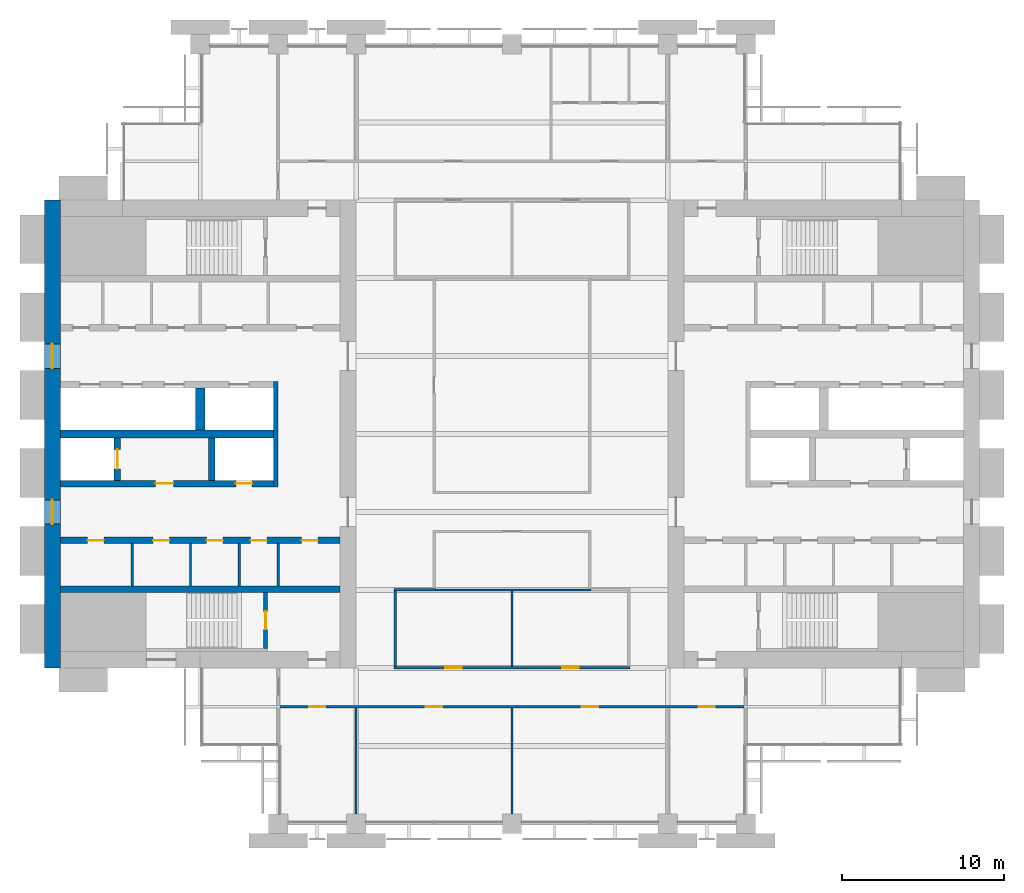
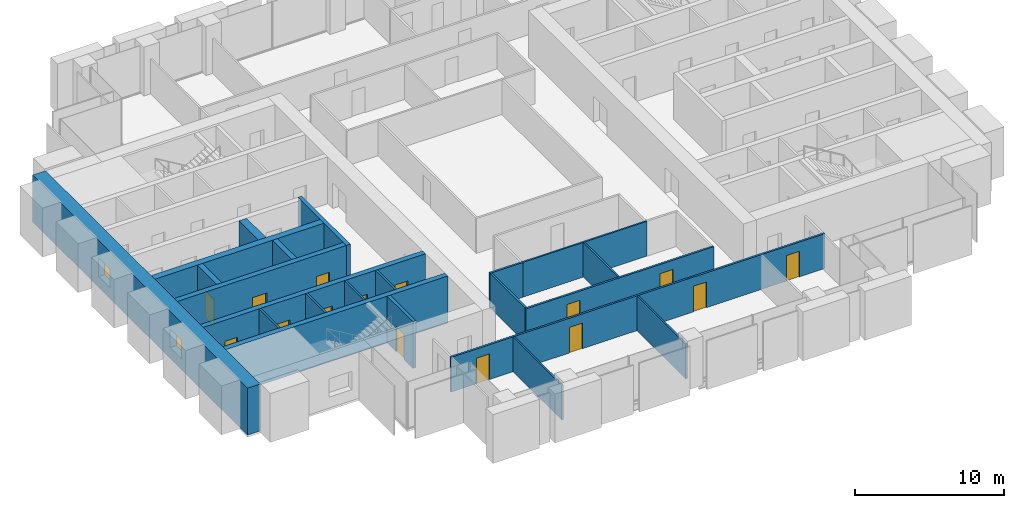
# One storey, part 9 of 14: 22 walls, 15 doors, 2 windows, 17 openings.
"""IFC4 building model written with IfcOpenShell, lengths in metres."""

from ifc_helpers import new_model, si_unit, direction, frame, frame_2d, origin, place, context, subcontext, project, spatial, rectangle, extrude, material, layer, layer_set, type_object, element, fill, save


model = new_model("IFC4")

# Units and contexts
model_context = context("Model", 3, precision=1e-05, world=origin(), true_north=direction((0.0, 1.0)))
body_context = subcontext(model_context, "Body", "Model", "MODEL_VIEW")
ifc_project = project(units=[si_unit("LENGTHUNIT", "METRE"), si_unit("AREAUNIT", "SQUARE_METRE"), si_unit("VOLUMEUNIT", "CUBIC_METRE"), si_unit("PLANEANGLEUNIT", "RADIAN"), si_unit("MASSUNIT", "GRAM", prefix="KILO")], contexts=[model_context])

# Site, building, storey
site_placement = place(None, origin())
site = spatial("IfcSite", under=ifc_project, at=site_placement, CompositionType="ELEMENT")
building_placement = place(site_placement, origin())
building = spatial("IfcBuilding", under=site, at=building_placement, Name="Baori Bourse Tower", CompositionType="ELEMENT")
storey_placement = place(building_placement, frame((0.0, 0.0, 112.10009765625)))
storey = spatial("IfcBuildingStorey", under=building, at=storey_placement, Name="L23", CompositionType="ELEMENT", Elevation=112.10009765625)

# Walls
ifc_material_1 = material(Name="Blockwork partition", Category="masonry")
ifc_layer_1 = layer(ifc_material_1, 0.14990234375)
ifc_layer_set_1 = layer_set([ifc_layer_1], Name="Core partition 150")
wall_type_1 = type_object("IfcWallType", Name="Core partition 150", PredefinedType="PARTITIONING", material=ifc_layer_set_1)
for number, where, z_axis, x_axis, name in (
    (1, (5.39990234375, 14.64990234375, 0.0), (0.0, 0.0, 1.0), (0.0, 1.0, 0.0), "Partition wall W10"),
    (2, (9.0, 14.64990234375, 0.0), (0.0, 0.0, 1.0), (0.0, 1.0, 0.0), "Partition wall W11"),
    (3, (12.0, 14.64990234375, 0.0), (0.0, 0.0, 1.0), (0.0, 1.0, 0.0), "Partition wall W12"),
    (4, (14.39990234375, 14.64990234375, 0.0), (0.0, 0.0, 1.0), (0.0, 1.0, 0.0), "Partition wall W13"),
):
    element("IfcWall", number, at=place(storey_placement, frame(where, z_axis=z_axis, x_axis=x_axis)), inside=storey, type_object=wall_type_1, Name=name, PredefinedType="PARTITIONING", context=body_context, shape_type="SweptSolid", body=[
        extrude(rectangle(XDim=2.60009765625, YDim=0.14990234375, at=frame_2d((1.300048828125, 0.0))), origin(), (0.0, 0.0, 1.0), 3.83984375),
    ])

# Wall, openings, windows
ifc_material_2 = material(Name="Concrete f'c 60 MPa", Category="concrete")
ifc_layer_2 = layer(ifc_material_2, 1.0)
ifc_layer_set_2 = layer_set([ifc_layer_2], Name="Core wall 1000 f'c 60")
wall_type_2 = type_object("IfcWallType", Name="Core wall 1000 f'c 60", PredefinedType="SHEAR", material=ifc_layer_set_2)
wall_1_placement = place(storey_placement, frame((0.5, 9.60009765625, 0.0), z_axis=(0.0, 0.0, 1.0), x_axis=(0.0, 1.0, 0.0)))
wall_1 = element("IfcWall", 5, at=wall_1_placement, inside=storey, type_object=wall_type_2, Name="Core wall W01", PredefinedType="SHEAR", context=body_context, shape_type="SweptSolid", body=[
    extrude(rectangle(XDim=28.7998046875, YDim=1.0, at=frame_2d((14.39990234375, 0.0))), origin(), (0.0, 0.0, 1.0), 3.83984375),
])
opening_1_placement = place(wall_1_placement, frame((8.85009765625, 0.0, 0.89990234375)))
opening_1 = element("IfcOpeningElement", 6, at=opening_1_placement, cuts=wall_1, Name="Opening L23-KW101", PredefinedType="OPENING", context=body_context, shape_type="SweptSolid", body=[
    extrude(rectangle(XDim=1.5, YDim=1.5, at=frame_2d((0.75, 0.75))), frame((0.0, 0.510009765625, 0.0), z_axis=(0.0, -1.0, 0.0), x_axis=(1.0, 0.0, 0.0)), (0.0, 0.0, 1.0), 1.02001953125),
])
opening_2_placement = place(wall_1_placement, frame((18.449951171875, 0.0, 0.89990234375)))
opening_2 = element("IfcOpeningElement", 7, at=opening_2_placement, cuts=wall_1, Name="Opening L23-KW102", PredefinedType="OPENING", context=body_context, shape_type="SweptSolid", body=[
    extrude(rectangle(XDim=1.5, YDim=1.5, at=frame_2d((0.75, 0.75))), frame((0.0, 0.510009765625, 0.0), z_axis=(0.0, -1.0, 0.0), x_axis=(1.0, 0.0, 0.0)), (0.0, 0.0, 1.0), 1.02001953125),
])
ifc_material_3 = material(Name="Pale anodised aluminium", Category="aluminium")
window_type = type_object("IfcWindowType", Name="Lobby window 1500 x 1500", PartitioningType="SINGLE_PANEL", PredefinedType="WINDOW", material=ifc_material_3)
window_1_placement = place(opening_1_placement, origin())
window_1 = element("IfcWindow", 8, at=window_1_placement, inside=storey, type_object=window_type, Name="Outer wall window W L23 1", OverallHeight=1.5, OverallWidth=1.5, PartitioningType="SINGLE_PANEL", PredefinedType="WINDOW", context=body_context, shape_type="SweptSolid", body=[
    extrude(rectangle(XDim=1.5, YDim=1.5, at=frame_2d((0.75, 0.75))), frame((0.0, 0.030029296875, 0.0), z_axis=(0.0, -1.0, 0.0), x_axis=(1.0, 0.0, 0.0)), (0.0, 0.0, 1.0), 0.06005859375),
])
fill(opening_1, window_1)
window_2_placement = place(opening_2_placement, origin())
window_2 = element("IfcWindow", 9, at=window_2_placement, inside=storey, type_object=window_type, Name="Outer wall window W L23 2", OverallHeight=1.5, OverallWidth=1.5, PartitioningType="SINGLE_PANEL", PredefinedType="WINDOW", context=body_context, shape_type="SweptSolid", body=[
    extrude(rectangle(XDim=1.5, YDim=1.5, at=frame_2d((0.75, 0.75))), frame((0.0, 0.030029296875, 0.0), z_axis=(0.0, -1.0, 0.0), x_axis=(1.0, 0.0, 0.0)), (0.0, 0.0, 1.0), 0.06005859375),
])
fill(opening_2, window_2)

# Wall, openings, doors
ifc_material_4 = material(Name="Gypsum board partition")
ifc_layer_3 = layer(ifc_material_4, 0.14990234375)
ifc_layer_set_3 = layer_set([ifc_layer_3], Name="Corridor partition 150")
wall_type_3 = type_object("IfcWallType", Name="Corridor partition 150", PredefinedType="PARTITIONING", material=ifc_layer_set_3)
wall_2_placement = place(storey_placement, frame((14.324951171875, 7.199951171875, 0.0), z_axis=(0.0, 0.0, 1.0), x_axis=(1.0, 0.0, 0.0)))
wall_2 = element("IfcWall", 10, at=wall_2_placement, inside=storey, type_object=wall_type_3, Name="Partition", PredefinedType="PARTITIONING", context=body_context, shape_type="SweptSolid", body=[
    extrude(rectangle(XDim=28.949951171875, YDim=0.14990234375, at=frame_2d((14.47509765625, 0.0))), origin(), (0.0, 0.0, 1.0), 2.849365234375),
])
opening_3_placement = place(wall_2_placement, frame((1.97509765625, 0.0, 0.0)))
opening_3 = element("IfcOpeningElement", 11, at=opening_3_placement, cuts=wall_2, Name="Opening L23-D01", PredefinedType="OPENING", context=body_context, shape_type="SweptSolid", body=[
    extrude(rectangle(XDim=1.0, YDim=2.10009765625, at=frame_2d((0.5, 1.050048828125))), frame((0.0, 0.0849609375, 0.0), z_axis=(0.0, -1.0, 0.0), x_axis=(1.0, 0.0, 0.0)), (0.0, 0.0, 1.0), 0.169921875),
])
opening_4_placement = place(wall_2_placement, frame((9.175048828125, 0.0, 0.0)))
opening_4 = element("IfcOpeningElement", 12, at=opening_4_placement, cuts=wall_2, Name="Opening L23-D02", PredefinedType="OPENING", context=body_context, shape_type="SweptSolid", body=[
    extrude(rectangle(XDim=1.0, YDim=2.10009765625, at=frame_2d((0.5, 1.050048828125))), frame((0.0, 0.0849609375, 0.0), z_axis=(0.0, -1.0, 0.0), x_axis=(1.0, 0.0, 0.0)), (0.0, 0.0, 1.0), 0.169921875),
])
opening_5_placement = place(wall_2_placement, frame((18.77490234375, 0.0, 0.0)))
opening_5 = element("IfcOpeningElement", 13, at=opening_5_placement, cuts=wall_2, Name="Opening L23-D03", PredefinedType="OPENING", context=body_context, shape_type="SweptSolid", body=[
    extrude(rectangle(XDim=1.0, YDim=2.10009765625, at=frame_2d((0.5, 1.050048828125))), frame((0.0, 0.0849609375, 0.0), z_axis=(0.0, -1.0, 0.0), x_axis=(1.0, 0.0, 0.0)), (0.0, 0.0, 1.0), 0.169921875),
])
opening_6_placement = place(wall_2_placement, frame((25.97509765625, 0.0, 0.0)))
opening_6 = element("IfcOpeningElement", 14, at=opening_6_placement, cuts=wall_2, Name="Opening L23-D04", PredefinedType="OPENING", context=body_context, shape_type="SweptSolid", body=[
    extrude(rectangle(XDim=1.0, YDim=2.10009765625, at=frame_2d((0.5, 1.050048828125))), frame((0.0, 0.0849609375, 0.0), z_axis=(0.0, -1.0, 0.0), x_axis=(1.0, 0.0, 0.0)), (0.0, 0.0, 1.0), 0.169921875),
])
ifc_material_5 = material(Name="Timber door leaf", Category="wood")
door_type_1 = type_object("IfcDoorType", Name="Door 1000 x 2100", OperationType="SINGLE_SWING_LEFT", PredefinedType="DOOR", material=ifc_material_5)
door_1_placement = place(opening_3_placement, origin())
door_1 = element("IfcDoor", 15, at=door_1_placement, inside=storey, type_object=door_type_1, Name="Door", OperationType="SINGLE_SWING_LEFT", OverallHeight=2.10009765625, OverallWidth=1.0, PredefinedType="DOOR", context=body_context, shape_type="SweptSolid", body=[
    extrude(rectangle(XDim=1.0, YDim=2.10009765625, at=frame_2d((0.5, 1.050048828125))), frame((0.0, 0.02490234375, 0.0), z_axis=(0.0, -1.0, 0.0), x_axis=(1.0, 0.0, 0.0)), (0.0, 0.0, 1.0), 0.050048828125),
])
fill(opening_3, door_1)
door_2_placement = place(opening_4_placement, origin())
door_2 = element("IfcDoor", 16, at=door_2_placement, inside=storey, type_object=door_type_1, Name="Door", OperationType="SINGLE_SWING_LEFT", OverallHeight=2.10009765625, OverallWidth=1.0, PredefinedType="DOOR", context=body_context, shape_type="SweptSolid", body=[
    extrude(rectangle(XDim=1.0, YDim=2.10009765625, at=frame_2d((0.5, 1.050048828125))), frame((0.0, 0.02490234375, 0.0), z_axis=(0.0, -1.0, 0.0), x_axis=(1.0, 0.0, 0.0)), (0.0, 0.0, 1.0), 0.050048828125),
])
fill(opening_4, door_2)
door_3_placement = place(opening_5_placement, origin())
door_3 = element("IfcDoor", 17, at=door_3_placement, inside=storey, type_object=door_type_1, Name="Door", OperationType="SINGLE_SWING_RIGHT", OverallHeight=2.10009765625, OverallWidth=1.0, PredefinedType="DOOR", context=body_context, shape_type="SweptSolid", body=[
    extrude(rectangle(XDim=1.0, YDim=2.10009765625, at=frame_2d((0.5, 1.050048828125))), frame((0.0, 0.02490234375, 0.0), z_axis=(0.0, -1.0, 0.0), x_axis=(1.0, 0.0, 0.0)), (0.0, 0.0, 1.0), 0.050048828125),
])
fill(opening_5, door_3)
door_4_placement = place(opening_6_placement, origin())
door_4 = element("IfcDoor", 18, at=door_4_placement, inside=storey, type_object=door_type_1, Name="Door", OperationType="SINGLE_SWING_RIGHT", OverallHeight=2.10009765625, OverallWidth=1.0, PredefinedType="DOOR", context=body_context, shape_type="SweptSolid", body=[
    extrude(rectangle(XDim=1.0, YDim=2.10009765625, at=frame_2d((0.5, 1.050048828125))), frame((0.0, 0.02490234375, 0.0), z_axis=(0.0, -1.0, 0.0), x_axis=(1.0, 0.0, 0.0)), (0.0, 0.0, 1.0), 0.050048828125),
])
fill(opening_6, door_4)

wall_3_placement = place(storey_placement, frame((21.52490234375, 9.60009765625, 0.0), z_axis=(0.0, 0.0, 1.0), x_axis=(1.0, 0.0, 0.0)))
wall_3 = element("IfcWall", 19, at=wall_3_placement, inside=storey, type_object=wall_type_3, Name="Partition", PredefinedType="PARTITIONING", context=body_context, shape_type="SweptSolid", body=[
    extrude(rectangle(XDim=14.550048828125, YDim=0.14990234375, at=frame_2d((7.27490234375, 0.0))), origin(), (0.0, 0.0, 1.0), 2.849365234375),
])
opening_7_placement = place(wall_3_placement, frame((3.175048828125, 0.0, 0.0)))
opening_7 = element("IfcOpeningElement", 20, at=opening_7_placement, cuts=wall_3, Name="Opening L23-D05", PredefinedType="OPENING", context=body_context, shape_type="SweptSolid", body=[
    extrude(rectangle(XDim=1.0, YDim=2.10009765625, at=frame_2d((0.5, 1.050048828125))), frame((0.0, 0.0849609375, 0.0), z_axis=(0.0, -1.0, 0.0), x_axis=(1.0, 0.0, 0.0)), (0.0, 0.0, 1.0), 0.169921875),
])
opening_8_placement = place(wall_3_placement, frame((10.375, 0.0, 0.0)))
opening_8 = element("IfcOpeningElement", 21, at=opening_8_placement, cuts=wall_3, Name="Opening L23-D06", PredefinedType="OPENING", context=body_context, shape_type="SweptSolid", body=[
    extrude(rectangle(XDim=1.0, YDim=2.10009765625, at=frame_2d((0.5, 1.050048828125))), frame((0.0, 0.0849609375, 0.0), z_axis=(0.0, -1.0, 0.0), x_axis=(1.0, 0.0, 0.0)), (0.0, 0.0, 1.0), 0.169921875),
])
door_5_placement = place(opening_7_placement, origin())
door_5 = element("IfcDoor", 22, at=door_5_placement, inside=storey, type_object=door_type_1, Name="Door", OperationType="SINGLE_SWING_RIGHT", OverallHeight=2.10009765625, OverallWidth=1.0, PredefinedType="DOOR", context=body_context, shape_type="SweptSolid", body=[
    extrude(rectangle(XDim=1.0, YDim=2.10009765625, at=frame_2d((0.5, 1.050048828125))), frame((0.0, 0.02490234375, 0.0), z_axis=(0.0, -1.0, 0.0), x_axis=(1.0, 0.0, 0.0)), (0.0, 0.0, 1.0), 0.050048828125),
])
fill(opening_7, door_5)
door_6_placement = place(opening_8_placement, origin())
door_6 = element("IfcDoor", 23, at=door_6_placement, inside=storey, type_object=door_type_1, Name="Door", OperationType="SINGLE_SWING_LEFT", OverallHeight=2.10009765625, OverallWidth=1.0, PredefinedType="DOOR", context=body_context, shape_type="SweptSolid", body=[
    extrude(rectangle(XDim=1.0, YDim=2.10009765625, at=frame_2d((0.5, 1.050048828125))), frame((0.0, 0.02490234375, 0.0), z_axis=(0.0, -1.0, 0.0), x_axis=(1.0, 0.0, 0.0)), (0.0, 0.0, 1.0), 0.050048828125),
])
fill(opening_8, door_6)

# Walls
wall_4_placement = place(storey_placement, frame((21.52490234375, 14.39990234375, 0.0), z_axis=(0.0, 0.0, 1.0), x_axis=(1.0, 0.0, 0.0)))
element("IfcWall", 24, at=wall_4_placement, inside=storey, type_object=wall_type_3, Name="Partition", PredefinedType="PARTITIONING", context=body_context, shape_type="SweptSolid", body=[
    extrude(rectangle(XDim=2.550048828125, YDim=0.14990234375, at=frame_2d((1.27490234375, 0.0))), origin(), (0.0, 0.0, 1.0), 2.849365234375),
])
wall_5_placement = place(storey_placement, frame((21.60009765625, 9.675048828125, 0.0), z_axis=(0.0, 0.0, 1.0), x_axis=(0.0, 1.0, 0.0)))
element("IfcWall", 25, at=wall_5_placement, inside=storey, type_object=wall_type_3, Name="Partition", PredefinedType="PARTITIONING", context=body_context, shape_type="SweptSolid", body=[
    extrude(rectangle(XDim=4.64990234375, YDim=0.14990234375, at=frame_2d((2.324951171875, 0.0))), origin(), (0.0, 0.0, 1.0), 2.849365234375),
])
ifc_material_6 = material(Name="Gypsum board partition")
ifc_layer_4 = layer(ifc_material_6, 0.125)
ifc_layer_set_4 = layer_set([ifc_layer_4], Name="Partition 125")
wall_type_4 = type_object("IfcWallType", Name="Partition 125", PredefinedType="PARTITIONING", material=ifc_layer_set_4)
wall_6_placement = place(storey_placement, frame((24.074951171875, 14.39990234375, 0.0), z_axis=(0.0, 0.0, 1.0), x_axis=(1.0, 0.0, 0.0)))
element("IfcWall", 26, at=wall_6_placement, inside=storey, type_object=wall_type_4, Name="Partition", PredefinedType="PARTITIONING", context=body_context, shape_type="SweptSolid", body=[
    extrude(rectangle(XDim=9.60009765625, YDim=0.125, at=frame_2d((4.800048828125, 0.0))), origin(), (0.0, 0.0, 1.0), 2.849365234375),
])
for number, where, z_axis, x_axis, name in (
    (27, (19.199951171875, 0.60009765625, 0.0), (0.0, 0.0, 1.0), (0.0, 1.0, 0.0), "Partition"),
    (28, (28.800048828125, 0.60009765625, 0.0), (0.0, 0.0, 1.0), (0.0, 1.0, 0.0), "Partition"),
):
    element("IfcWall", number, at=place(storey_placement, frame(where, z_axis=z_axis, x_axis=x_axis)), inside=storey, type_object=wall_type_4, Name=name, PredefinedType="PARTITIONING", context=body_context, shape_type="SweptSolid", body=[
        extrude(rectangle(XDim=6.52490234375, YDim=0.125, at=frame_2d((3.262451171875, 0.0))), origin(), (0.0, 0.0, 1.0), 2.849365234375),
    ])
wall_7_placement = place(storey_placement, frame((28.800048828125, 9.675048828125, 0.0), z_axis=(0.0, 0.0, 1.0), x_axis=(0.0, 1.0, 0.0)))
element("IfcWall", 29, at=wall_7_placement, inside=storey, type_object=wall_type_4, Name="Partition", PredefinedType="PARTITIONING", context=body_context, shape_type="SweptSolid", body=[
    extrude(rectangle(XDim=4.662353515625, YDim=0.125, at=frame_2d((2.3310546875, 0.0))), origin(), (0.0, 0.0, 1.0), 2.849365234375),
])

# Wall, opening, door
ifc_material_7 = material(Name="Concrete f'c 60 MPa", Category="concrete")
ifc_layer_5 = layer(ifc_material_7, 0.25)
ifc_layer_set_5 = layer_set([ifc_layer_5], Name="Shaft wall 250 f'c 60")
wall_type_5 = type_object("IfcWallType", Name="Shaft wall 250 f'c 60", PredefinedType="SHEAR", material=ifc_layer_set_5)
wall_8_placement = place(storey_placement, frame((13.625, 10.800048828125, 0.0), z_axis=(0.0, 0.0, 1.0), x_axis=(0.0, 1.0, 0.0)))
wall_8 = element("IfcWall", 30, at=wall_8_placement, inside=storey, type_object=wall_type_5, Name="Core wall W08", PredefinedType="SHEAR", context=body_context, shape_type="SweptSolid", body=[
    extrude(rectangle(XDim=3.449951171875, YDim=0.25, at=frame_2d((1.72509765625, 0.0))), origin(), (0.0, 0.0, 1.0), 3.83984375),
])
opening_9_placement = place(wall_8_placement, frame((1.175048828125, 0.0, 0.0)))
opening_9 = element("IfcOpeningElement", 31, at=opening_9_placement, cuts=wall_8, Name="Opening L23-D101", PredefinedType="OPENING", context=body_context, shape_type="SweptSolid", body=[
    extrude(rectangle(XDim=1.10009765625, YDim=2.10009765625, at=frame_2d((0.550048828125, 1.050048828125))), frame((0.0, 0.135009765625, 0.0), z_axis=(0.0, -1.0, 0.0), x_axis=(1.0, 0.0, 0.0)), (0.0, 0.0, 1.0), 0.27001953125),
])
ifc_material_8 = material(Name="Painted steel door", Category="steel")
door_type_2 = type_object("IfcDoorType", Name="Stair door 1100", OperationType="SINGLE_SWING_LEFT", PredefinedType="DOOR", material=ifc_material_8)
door_7_placement = place(opening_9_placement, origin())
door_7 = element("IfcDoor", 32, at=door_7_placement, inside=storey, type_object=door_type_2, Name="Stair door A W L23", OperationType="SINGLE_SWING_LEFT", OverallHeight=2.10009765625, OverallWidth=1.10009765625, PredefinedType="DOOR", context=body_context, shape_type="SweptSolid", body=[
    extrude(rectangle(XDim=1.10009765625, YDim=2.10009765625, at=frame_2d((0.550048828125, 1.050048828125))), frame((0.0, 0.02490234375, 0.0), z_axis=(0.0, -1.0, 0.0), x_axis=(1.0, 0.0, 0.0)), (0.0, 0.0, 1.0), 0.050048828125),
])
fill(opening_9, door_7)

# Walls
ifc_material_9 = material(Name="Concrete f'c 60 MPa", Category="concrete")
ifc_layer_6 = layer(ifc_material_9, 0.300048828125)
ifc_layer_set_6 = layer_set([ifc_layer_6], Name="Shaft wall 300 f'c 60")
wall_type_6 = type_object("IfcWallType", Name="Shaft wall 300 f'c 60", PredefinedType="SHEAR", material=ifc_layer_set_6)
wall_9_placement = place(storey_placement, frame((14.25, 20.75, 0.0), z_axis=(0.0, 0.0, 1.0), x_axis=(0.0, 1.0, 0.0)))
element("IfcWall", 33, at=wall_9_placement, inside=storey, type_object=wall_type_6, Name="Core wall W16", PredefinedType="SHEAR", context=body_context, shape_type="SweptSolid", body=[
    extrude(rectangle(XDim=6.5, YDim=0.300048828125, at=frame_2d((3.25, 0.0))), origin(), (0.0, 0.0, 1.0), 3.83984375),
])
ifc_material_10 = material(Name="Concrete f'c 60 MPa", Category="concrete")
ifc_layer_7 = layer(ifc_material_10, 0.39990234375)
ifc_layer_set_7 = layer_set([ifc_layer_7], Name="Shaft wall 400 f'c 60")
wall_type_7 = type_object("IfcWallType", Name="Shaft wall 400 f'c 60", PredefinedType="SHEAR", material=ifc_layer_set_7)
wall_10_placement = place(storey_placement, frame((1.0, 14.449951171875, 0.0), z_axis=(0.0, 0.0, 1.0), x_axis=(1.0, 0.0, 0.0)))
element("IfcWall", 34, at=wall_10_placement, inside=storey, type_object=wall_type_7, Name="Core wall W09", PredefinedType="SHEAR", context=body_context, shape_type="SweptSolid", body=[
    extrude(rectangle(XDim=17.199951171875, YDim=0.39990234375, at=frame_2d((8.60009765625, 0.0))), origin(), (0.0, 0.0, 1.0), 3.83984375),
])

# Wall, openings, doors
wall_11_placement = place(storey_placement, frame((1.0, 17.449951171875, 0.0), z_axis=(0.0, 0.0, 1.0), x_axis=(1.0, 0.0, 0.0)))
wall_11 = element("IfcWall", 35, at=wall_11_placement, inside=storey, type_object=wall_type_7, Name="Core wall W14", PredefinedType="SHEAR", context=body_context, shape_type="SweptSolid", body=[
    extrude(rectangle(XDim=17.199951171875, YDim=0.39990234375, at=frame_2d((8.60009765625, 0.0))), origin(), (0.0, 0.0, 1.0), 3.83984375),
])
opening_10_placement = place(wall_11_placement, frame((1.66259765625, 0.0, 0.0)))
opening_10 = element("IfcOpeningElement", 36, at=opening_10_placement, cuts=wall_11, Name="Opening L23-D114", PredefinedType="OPENING", context=body_context, shape_type="SweptSolid", body=[
    extrude(rectangle(XDim=1.0, YDim=2.10009765625, at=frame_2d((0.5, 1.050048828125))), frame((0.0, 0.2099609375, 0.0), z_axis=(0.0, -1.0, 0.0), x_axis=(1.0, 0.0, 0.0)), (0.0, 0.0, 1.0), 0.419921875),
])
opening_11_placement = place(wall_11_placement, frame((5.699951171875, 0.0, 0.0)))
opening_11 = element("IfcOpeningElement", 37, at=opening_11_placement, cuts=wall_11, Name="Opening L23-D115", PredefinedType="OPENING", context=body_context, shape_type="SweptSolid", body=[
    extrude(rectangle(XDim=1.0, YDim=2.10009765625, at=frame_2d((0.5, 1.050048828125))), frame((0.0, 0.2099609375, 0.0), z_axis=(0.0, -1.0, 0.0), x_axis=(1.0, 0.0, 0.0)), (0.0, 0.0, 1.0), 0.419921875),
])
opening_12_placement = place(wall_11_placement, frame((9.0, 0.0, 0.0)))
opening_12 = element("IfcOpeningElement", 38, at=opening_12_placement, cuts=wall_11, Name="Opening L23-D116", PredefinedType="OPENING", context=body_context, shape_type="SweptSolid", body=[
    extrude(rectangle(XDim=1.0, YDim=2.10009765625, at=frame_2d((0.5, 1.050048828125))), frame((0.0, 0.2099609375, 0.0), z_axis=(0.0, -1.0, 0.0), x_axis=(1.0, 0.0, 0.0)), (0.0, 0.0, 1.0), 0.419921875),
])
opening_13_placement = place(wall_11_placement, frame((11.699951171875, 0.0, 0.0)))
opening_13 = element("IfcOpeningElement", 39, at=opening_13_placement, cuts=wall_11, Name="Opening L23-D117", PredefinedType="OPENING", context=body_context, shape_type="SweptSolid", body=[
    extrude(rectangle(XDim=1.0, YDim=2.10009765625, at=frame_2d((0.5, 1.050048828125))), frame((0.0, 0.2099609375, 0.0), z_axis=(0.0, -1.0, 0.0), x_axis=(1.0, 0.0, 0.0)), (0.0, 0.0, 1.0), 0.419921875),
])
opening_14_placement = place(wall_11_placement, frame((14.83740234375, 0.0, 0.0)))
opening_14 = element("IfcOpeningElement", 40, at=opening_14_placement, cuts=wall_11, Name="Opening L23-D118", PredefinedType="OPENING", context=body_context, shape_type="SweptSolid", body=[
    extrude(rectangle(XDim=1.0, YDim=2.10009765625, at=frame_2d((0.5, 1.050048828125))), frame((0.0, 0.2099609375, 0.0), z_axis=(0.0, -1.0, 0.0), x_axis=(1.0, 0.0, 0.0)), (0.0, 0.0, 1.0), 0.419921875),
])
ifc_material_11 = material(Name="Painted steel door", Category="steel")
door_type_3 = type_object("IfcDoorType", Name="Core door 1000", OperationType="SINGLE_SWING_LEFT", PredefinedType="DOOR", material=ifc_material_11)
door_8_placement = place(opening_10_placement, origin())
door_8 = element("IfcDoor", 41, at=door_8_placement, inside=storey, type_object=door_type_3, Name="Men'S Wc door W L23", OperationType="SINGLE_SWING_LEFT", OverallHeight=2.10009765625, OverallWidth=1.0, PredefinedType="DOOR", context=body_context, shape_type="SweptSolid", body=[
    extrude(rectangle(XDim=1.0, YDim=2.10009765625, at=frame_2d((0.5, 1.050048828125))), frame((0.0, 0.02490234375, 0.0), z_axis=(0.0, -1.0, 0.0), x_axis=(1.0, 0.0, 0.0)), (0.0, 0.0, 1.0), 0.050048828125),
])
fill(opening_10, door_8)
door_9_placement = place(opening_11_placement, origin())
door_9 = element("IfcDoor", 42, at=door_9_placement, inside=storey, type_object=door_type_3, Name="Women'S Wc door W L23", OperationType="SINGLE_SWING_LEFT", OverallHeight=2.10009765625, OverallWidth=1.0, PredefinedType="DOOR", context=body_context, shape_type="SweptSolid", body=[
    extrude(rectangle(XDim=1.0, YDim=2.10009765625, at=frame_2d((0.5, 1.050048828125))), frame((0.0, 0.02490234375, 0.0), z_axis=(0.0, -1.0, 0.0), x_axis=(1.0, 0.0, 0.0)), (0.0, 0.0, 1.0), 0.050048828125),
])
fill(opening_11, door_9)
door_10_placement = place(opening_12_placement, origin())
door_10 = element("IfcDoor", 43, at=door_10_placement, inside=storey, type_object=door_type_3, Name="Store Room door W L23", OperationType="SINGLE_SWING_LEFT", OverallHeight=2.10009765625, OverallWidth=1.0, PredefinedType="DOOR", context=body_context, shape_type="SweptSolid", body=[
    extrude(rectangle(XDim=1.0, YDim=2.10009765625, at=frame_2d((0.5, 1.050048828125))), frame((0.0, 0.02490234375, 0.0), z_axis=(0.0, -1.0, 0.0), x_axis=(1.0, 0.0, 0.0)), (0.0, 0.0, 1.0), 0.050048828125),
])
fill(opening_12, door_10)
door_11_placement = place(opening_13_placement, origin())
door_11 = element("IfcDoor", 44, at=door_11_placement, inside=storey, type_object=door_type_3, Name="Janitor'S Closet door W L23", OperationType="SINGLE_SWING_LEFT", OverallHeight=2.10009765625, OverallWidth=1.0, PredefinedType="DOOR", context=body_context, shape_type="SweptSolid", body=[
    extrude(rectangle(XDim=1.0, YDim=2.10009765625, at=frame_2d((0.5, 1.050048828125))), frame((0.0, 0.02490234375, 0.0), z_axis=(0.0, -1.0, 0.0), x_axis=(1.0, 0.0, 0.0)), (0.0, 0.0, 1.0), 0.050048828125),
])
fill(opening_13, door_11)
door_12_placement = place(opening_14_placement, origin())
door_12 = element("IfcDoor", 45, at=door_12_placement, inside=storey, type_object=door_type_3, Name="Accessible Wc door W L23", OperationType="SINGLE_SWING_LEFT", OverallHeight=2.10009765625, OverallWidth=1.0, PredefinedType="DOOR", context=body_context, shape_type="SweptSolid", body=[
    extrude(rectangle(XDim=1.0, YDim=2.10009765625, at=frame_2d((0.5, 1.050048828125))), frame((0.0, 0.02490234375, 0.0), z_axis=(0.0, -1.0, 0.0), x_axis=(1.0, 0.0, 0.0)), (0.0, 0.0, 1.0), 0.050048828125),
])
fill(opening_14, door_12)

wall_12_placement = place(storey_placement, frame((1.0, 20.949951171875, 0.0), z_axis=(0.0, 0.0, 1.0), x_axis=(1.0, 0.0, 0.0)))
wall_12 = element("IfcWall", 46, at=wall_12_placement, inside=storey, type_object=wall_type_7, Name="Core wall W15", PredefinedType="SHEAR", context=body_context, shape_type="SweptSolid", body=[
    extrude(rectangle(XDim=13.10009765625, YDim=0.39990234375, at=frame_2d((6.550048828125, 0.0))), origin(), (0.0, 0.0, 1.0), 3.83984375),
])
opening_15_placement = place(wall_12_placement, frame((5.85009765625, 0.0, 0.0)))
opening_15 = element("IfcOpeningElement", 47, at=opening_15_placement, cuts=wall_12, Name="Opening L23-D105", PredefinedType="OPENING", context=body_context, shape_type="SweptSolid", body=[
    extrude(rectangle(XDim=1.10009765625, YDim=2.10009765625, at=frame_2d((0.550048828125, 1.050048828125))), frame((0.0, 0.2099609375, 0.0), z_axis=(0.0, -1.0, 0.0), x_axis=(1.0, 0.0, 0.0)), (0.0, 0.0, 1.0), 0.419921875),
])
opening_16_placement = place(wall_12_placement, frame((10.800048828125, 0.0, 0.0)))
opening_16 = element("IfcOpeningElement", 48, at=opening_16_placement, cuts=wall_12, Name="Opening L23-D106", PredefinedType="OPENING", context=body_context, shape_type="SweptSolid", body=[
    extrude(rectangle(XDim=1.0, YDim=2.10009765625, at=frame_2d((0.5, 1.050048828125))), frame((0.0, 0.2099609375, 0.0), z_axis=(0.0, -1.0, 0.0), x_axis=(1.0, 0.0, 0.0)), (0.0, 0.0, 1.0), 0.419921875),
])
ifc_material_12 = material(Name="Painted steel door", Category="steel")
door_type_4 = type_object("IfcDoorType", Name="Lobby door 1100", OperationType="SINGLE_SWING_LEFT", PredefinedType="DOOR", material=ifc_material_12)
door_13_placement = place(opening_15_placement, origin())
door_13 = element("IfcDoor", 49, at=door_13_placement, inside=storey, type_object=door_type_4, Name="Firefighting lobby door W L23", OperationType="SINGLE_SWING_LEFT", OverallHeight=2.10009765625, OverallWidth=1.10009765625, PredefinedType="DOOR", context=body_context, shape_type="SweptSolid", body=[
    extrude(rectangle(XDim=1.10009765625, YDim=2.10009765625, at=frame_2d((0.550048828125, 1.050048828125))), frame((0.0, 0.02490234375, 0.0), z_axis=(0.0, -1.0, 0.0), x_axis=(1.0, 0.0, 0.0)), (0.0, 0.0, 1.0), 0.050048828125),
])
fill(opening_15, door_13)
ifc_material_13 = material(Name="Painted steel door", Category="steel")
door_type_5 = type_object("IfcDoorType", Name="Shaft door 1000", OperationType="SINGLE_SWING_LEFT", PredefinedType="DOOR", material=ifc_material_13)
door_14_placement = place(opening_16_placement, origin())
door_14 = element("IfcDoor", 50, at=door_14_placement, inside=storey, type_object=door_type_5, Name="Riser room door W L23", OperationType="SINGLE_SWING_LEFT", OverallHeight=2.10009765625, OverallWidth=1.0, PredefinedType="DOOR", context=body_context, shape_type="SweptSolid", body=[
    extrude(rectangle(XDim=1.0, YDim=2.10009765625, at=frame_2d((0.5, 1.050048828125))), frame((0.0, 0.02490234375, 0.0), z_axis=(0.0, -1.0, 0.0), x_axis=(1.0, 0.0, 0.0)), (0.0, 0.0, 1.0), 0.050048828125),
])
fill(opening_16, door_14)

# Wall, opening, door
wall_13_placement = place(storey_placement, frame((4.5, 21.14990234375, 0.0), z_axis=(0.0, 0.0, 1.0), x_axis=(0.0, 1.0, 0.0)))
wall_13 = element("IfcWall", 51, at=wall_13_placement, inside=storey, type_object=wall_type_7, Name="Core wall W17", PredefinedType="SHEAR", context=body_context, shape_type="SweptSolid", body=[
    extrude(rectangle(XDim=2.60009765625, YDim=0.39990234375, at=frame_2d((1.300048828125, 0.0))), origin(), (0.0, 0.0, 1.0), 3.83984375),
])
opening_17_placement = place(wall_13_placement, frame((0.699951171875, 0.0, 0.0)))
opening_17 = element("IfcOpeningElement", 52, at=opening_17_placement, cuts=wall_13, Name="Opening L23-D123", PredefinedType="OPENING", context=body_context, shape_type="SweptSolid", body=[
    extrude(rectangle(XDim=1.199951171875, YDim=2.10009765625, at=frame_2d((0.60009765625, 1.050048828125))), frame((0.0, 0.2099609375, 0.0), z_axis=(0.0, -1.0, 0.0), x_axis=(1.0, 0.0, 0.0)), (0.0, 0.0, 1.0), 0.419921875),
])
ifc_material_14 = material(Name="Stainless steel door", Category="steel")
door_type_6 = type_object("IfcDoorType", Name="Lift landing door", OperationType="DOUBLE_DOOR_SLIDING", PredefinedType="DOOR", material=ifc_material_14)
door_15_placement = place(opening_17_placement, origin())
door_15 = element("IfcDoor", 53, at=door_15_placement, inside=storey, type_object=door_type_6, Name="Lift landing door FF1 W L23", OperationType="DOUBLE_DOOR_SLIDING", OverallHeight=2.10009765625, OverallWidth=1.199951171875, PredefinedType="DOOR", context=body_context, shape_type="SweptSolid", body=[
    extrude(rectangle(XDim=1.199951171875, YDim=2.10009765625, at=frame_2d((0.60009765625, 1.050048828125))), frame((0.0, 0.02490234375, 0.0), z_axis=(0.0, -1.0, 0.0), x_axis=(1.0, 0.0, 0.0)), (0.0, 0.0, 1.0), 0.050048828125),
])
fill(opening_17, door_15)

# Walls
wall_14_placement = place(storey_placement, frame((10.300048828125, 21.14990234375, 0.0), z_axis=(0.0, 0.0, 1.0), x_axis=(0.0, 1.0, 0.0)))
element("IfcWall", 54, at=wall_14_placement, inside=storey, type_object=wall_type_7, Name="Core wall W18", PredefinedType="SHEAR", context=body_context, shape_type="SweptSolid", body=[
    extrude(rectangle(XDim=2.60009765625, YDim=0.39990234375, at=frame_2d((1.300048828125, 0.0))), origin(), (0.0, 0.0, 1.0), 3.83984375),
])
ifc_material_15 = material(Name="Concrete f'c 60 MPa", Category="concrete")
ifc_layer_8 = layer(ifc_material_15, 0.5)
ifc_layer_set_8 = layer_set([ifc_layer_8], Name="Shaft wall 500 f'c 60")
wall_type_8 = type_object("IfcWallType", Name="Shaft wall 500 f'c 60", PredefinedType="SHEAR", material=ifc_layer_set_8)
wall_15_placement = place(storey_placement, frame((1.0, 24.0, 0.0), z_axis=(0.0, 0.0, 1.0), x_axis=(1.0, 0.0, 0.0)))
element("IfcWall", 55, at=wall_15_placement, inside=storey, type_object=wall_type_8, Name="Core wall W19", PredefinedType="SHEAR", context=body_context, shape_type="SweptSolid", body=[
    extrude(rectangle(XDim=13.10009765625, YDim=0.5, at=frame_2d((6.550048828125, 0.0))), origin(), (0.0, 0.0, 1.0), 3.83984375),
])
ifc_material_16 = material(Name="Concrete f'c 60 MPa", Category="concrete")
ifc_layer_9 = layer(ifc_material_16, 0.60009765625)
ifc_layer_set_9 = layer_set([ifc_layer_9], Name="Shaft wall 600 f'c 60")
wall_type_9 = type_object("IfcWallType", Name="Shaft wall 600 f'c 60", PredefinedType="SHEAR", material=ifc_layer_set_9)
wall_16_placement = place(storey_placement, frame((9.60009765625, 24.25, 0.0), z_axis=(0.0, 0.0, 1.0), x_axis=(0.0, 1.0, 0.0)))
element("IfcWall", 56, at=wall_16_placement, inside=storey, type_object=wall_type_9, Name="Core wall W20", PredefinedType="SHEAR", context=body_context, shape_type="SweptSolid", body=[
    extrude(rectangle(XDim=2.60009765625, YDim=0.60009765625, at=frame_2d((1.300048828125, 0.0))), origin(), (0.0, 0.0, 1.0), 3.83984375),
])

save(model, "model.ifc")
